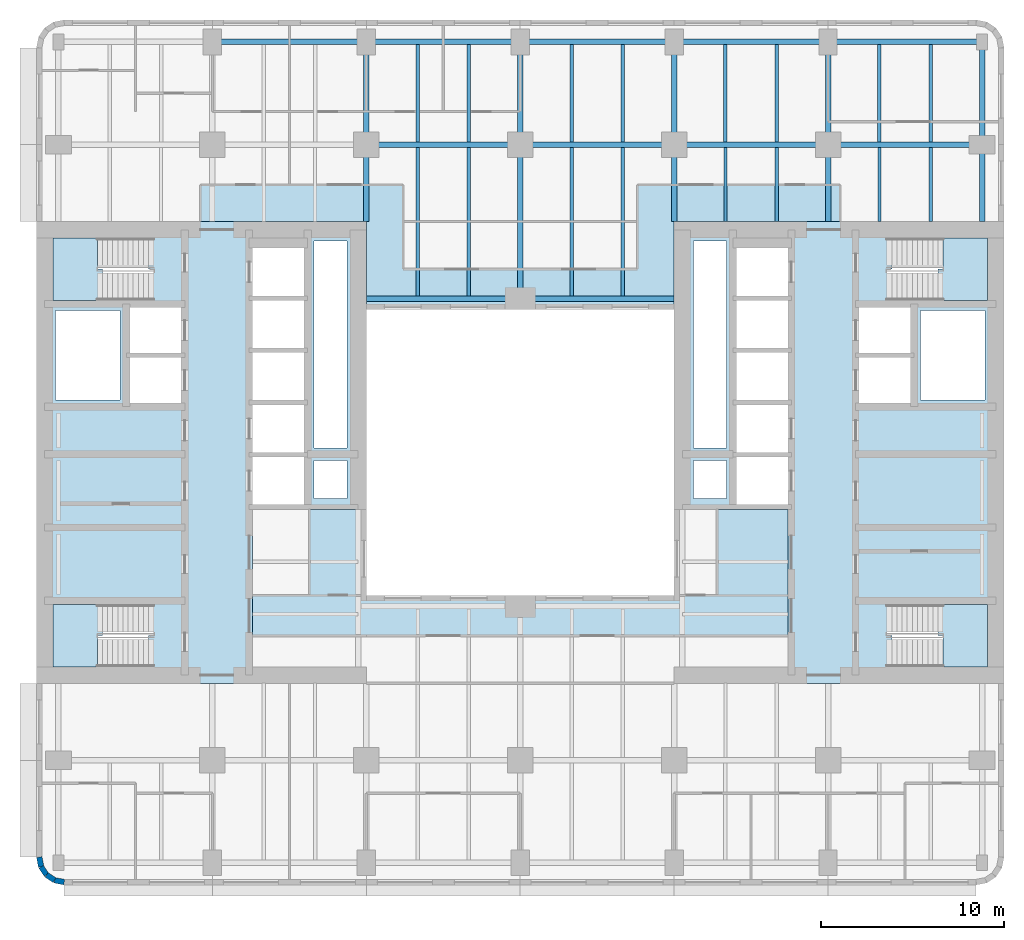
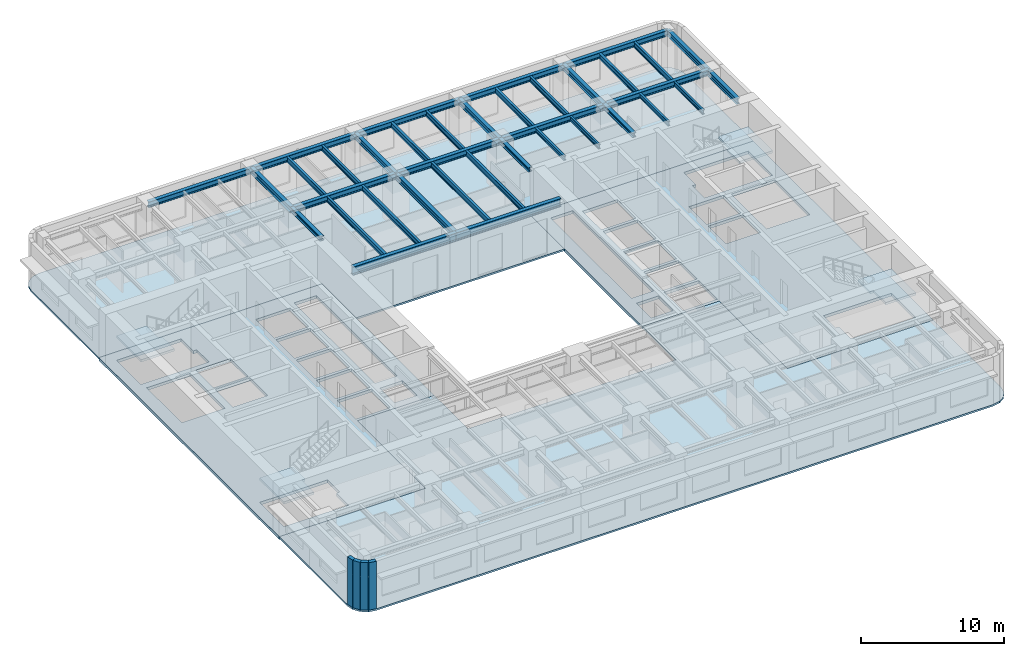
# One storey, part 2 of 11: 37 beams, 8 slabs, 4 walls, 4 elements without a shape of their own.
"""IFC4 building model written with IfcOpenShell, lengths in metres."""

from ifc_helpers import new_model, si_unit, direction, frame, frame_2d, origin, origin_2d, place, context, subcontext, project, spatial, polyline, rectangle, i_section, outline, extrude, material, layer, layer_set, material_profile, profile_set, type_object, element, aggregate, save


model = new_model("IFC4")

# Units and contexts
model_context = context("Model", 3, precision=1e-05, world=origin(), true_north=direction((0.0, 1.0)))
body_context = subcontext(model_context, "Body", "Model", "MODEL_VIEW")
ifc_project = project(units=[si_unit("LENGTHUNIT", "METRE"), si_unit("AREAUNIT", "SQUARE_METRE"), si_unit("VOLUMEUNIT", "CUBIC_METRE"), si_unit("PLANEANGLEUNIT", "RADIAN"), si_unit("MASSUNIT", "GRAM", prefix="KILO")], contexts=[model_context])

# Site, building, storey
site_placement = place(None, origin())
site = spatial("IfcSite", under=ifc_project, at=site_placement, CompositionType="ELEMENT")
building_placement = place(site_placement, origin())
building = spatial("IfcBuilding", under=site, at=building_placement, Name="Claustro Exchange Tower", CompositionType="ELEMENT")
storey_placement = place(building_placement, frame((0.0, 0.0, 130.199951171875)))
storey = spatial("IfcBuildingStorey", under=building, at=storey_placement, Name="L29", CompositionType="ELEMENT", Elevation=130.199951171875)

# Beams
ifc_material_1 = material(Name="Steel S355", Category="steel")
ifc_material_profile_1 = material_profile(ifc_material_1, i_section(OverallWidth=0.300048828125, OverallDepth=0.68994140625, WebThickness=0.014404296875, FlangeThickness=0.027099609375, FilletRadius=0.027099609375, at=origin_2d()), Name="HE 700 A")
ifc_profile_set_1 = profile_set([ifc_material_profile_1], Name="Steel S355")
beam_type_1 = type_object("IfcBeamType", Name="B13 HE 700 A light well edge girder", PredefinedType="BEAM", material=ifc_profile_set_1)
beam_1_placement = place(storey_placement, frame((16.800048828125, 33.60009765625, 3.705078125), z_axis=(1.0, 0.0, 0.0), x_axis=(0.0, 1.0, 0.0)))
element("IfcBeam", 1, at=beam_1_placement, inside=storey, type_object=beam_type_1, Name="Beam B13 L30", PredefinedType="BEAM", context=body_context, shape_type="SweptSolid", body=[
    extrude(i_section(OverallWidth=0.300048828125, OverallDepth=0.68994140625, WebThickness=0.014404296875, FlangeThickness=0.027099609375, FilletRadius=0.027099609375, at=origin_2d()), origin(), (0.0, 0.0, 1.0), 8.39990234375),
])
beam_2_placement = place(storey_placement, frame((25.199951171875, 33.60009765625, 3.705078125), z_axis=(1.0, 0.0, 0.0), x_axis=(0.0, 1.0, 0.0)))
element("IfcBeam", 2, at=beam_2_placement, inside=storey, type_object=beam_type_1, Name="Beam B13 L30", PredefinedType="BEAM", context=body_context, shape_type="SweptSolid", body=[
    extrude(i_section(OverallWidth=0.300048828125, OverallDepth=0.68994140625, WebThickness=0.014404296875, FlangeThickness=0.027099609375, FilletRadius=0.027099609375, at=origin_2d()), origin(), (0.0, 0.0, 1.0), 8.400146484375),
])
ifc_material_2 = material(Name="Steel S355", Category="steel")
ifc_material_profile_2 = material_profile(ifc_material_2, i_section(OverallWidth=0.169921875, OverallDepth=0.360107421875, WebThickness=0.008056640625, FlangeThickness=0.0126953125, FilletRadius=0.01806640625, at=origin_2d()), Name="IPE 360")
ifc_profile_set_2 = profile_set([ifc_material_profile_2], Name="Steel S355")
beam_type_2 = type_object("IfcBeamType", Name="B16 IPE 360 short-span beam", PredefinedType="BEAM", material=ifc_profile_set_2)
for number, where, z_axis, x_axis, name in (
    (3, (36.39990234375, 37.7900390625, 3.8701171875), (0.0, 1.0, 0.0), (-1.0, 0.0, 0.0), "Beam B16 L30"),
    (4, (39.199951171875, 37.7900390625, 3.8701171875), (0.0, 1.0, 0.0), (-1.0, 0.0, 0.0), "Beam B16 L30"),
    (5, (44.800048828125, 37.7900390625, 3.8701171875), (0.0, 1.0, 0.0), (-1.0, 0.0, 0.0), "Beam B16 L30"),
    (6, (47.60009765625, 37.7900390625, 3.8701171875), (0.0, 1.0, 0.0), (-1.0, 0.0, 0.0), "Beam B16 L30"),
):
    element("IfcBeam", number, at=place(storey_placement, frame(where, z_axis=z_axis, x_axis=x_axis)), inside=storey, type_object=beam_type_2, Name=name, PredefinedType="BEAM", context=body_context, shape_type="SweptSolid", body=[
        extrude(i_section(OverallWidth=0.169921875, OverallDepth=0.360107421875, WebThickness=0.008056640625, FlangeThickness=0.0126953125, FilletRadius=0.01806640625, at=origin_2d()), origin(), (0.0, 0.0, 1.0), 4.06005859375),
    ])
ifc_material_3 = material(Name="Steel S355", Category="steel")
ifc_material_profile_3 = material_profile(ifc_material_3, i_section(OverallWidth=0.300048828125, OverallDepth=0.360107421875, WebThickness=0.012451171875, FlangeThickness=0.0224609375, FilletRadius=0.027099609375, at=origin_2d()), Name="HE 360 B")
ifc_profile_set_3 = profile_set([ifc_material_profile_3], Name="Steel S355")
beam_type_3 = type_object("IfcBeamType", Name="B29 HE 360 B column to core link beam", PredefinedType="BEAM", material=ifc_profile_set_3)
for number, where, z_axis, x_axis, name in (
    (7, (16.800048828125, 37.800048828125, 3.8701171875), (0.0, 1.0, 0.0), (-1.0, 0.0, 0.0), "Beam B29 L30"),
    (8, (33.60009765625, 37.800048828125, 3.8701171875), (0.0, 1.0, 0.0), (-1.0, 0.0, 0.0), "Beam B29 L30"),
    (9, (42.0, 37.800048828125, 3.8701171875), (0.0, 1.0, 0.0), (-1.0, 0.0, 0.0), "Beam B29 L30"),
):
    element("IfcBeam", number, at=place(storey_placement, frame(where, z_axis=z_axis, x_axis=x_axis)), inside=storey, type_object=beam_type_3, Name=name, PredefinedType="BEAM", context=body_context, shape_type="SweptSolid", body=[
        extrude(i_section(OverallWidth=0.300048828125, OverallDepth=0.360107421875, WebThickness=0.012451171875, FlangeThickness=0.0224609375, FilletRadius=0.027099609375, at=origin_2d()), origin(), (0.0, 0.0, 1.0), 4.199951171875),
    ])
ifc_material_4 = material(Name="Steel S355", Category="steel")
ifc_material_profile_4 = material_profile(ifc_material_4, i_section(OverallWidth=0.300048828125, OverallDepth=0.5, WebThickness=0.014404296875, FlangeThickness=0.028076171875, FilletRadius=0.027099609375, at=origin_2d()), Name="HE 500 B")
ifc_profile_set_4 = profile_set([ifc_material_profile_4], Name="Steel S355")
beam_type_4 = type_object("IfcBeamType", Name="B7 HE 500 B floor girder", PredefinedType="BEAM", material=ifc_profile_set_4)
beam_3_placement = place(storey_placement, frame((16.800048828125, 42.0, 3.800048828125), z_axis=(0.0, 1.0, 0.0), x_axis=(-1.0, 0.0, 0.0)))
element("IfcBeam", 10, at=beam_3_placement, inside=storey, type_object=beam_type_4, Name="Beam B7 L30", PredefinedType="BEAM", context=body_context, shape_type="SweptSolid", body=[
    extrude(i_section(OverallWidth=0.300048828125, OverallDepth=0.5, WebThickness=0.014404296875, FlangeThickness=0.028076171875, FilletRadius=0.027099609375, at=origin_2d()), origin(), (0.0, 0.0, 1.0), 5.60009765625),
])
beam_4_placement = place(storey_placement, frame((25.199951171875, 33.60009765625, 3.800048828125), z_axis=(0.0, 1.0, 0.0), x_axis=(-1.0, 0.0, 0.0)))
element("IfcBeam", 11, at=beam_4_placement, inside=storey, type_object=beam_type_4, Name="Beam B7 L30", PredefinedType="BEAM", context=body_context, shape_type="SweptSolid", body=[
    extrude(i_section(OverallWidth=0.300048828125, OverallDepth=0.5, WebThickness=0.014404296875, FlangeThickness=0.028076171875, FilletRadius=0.027099609375, at=origin_2d()), origin(), (0.0, 0.0, 1.0), 8.39990234375),
])
for number, where, z_axis, x_axis, name in (
    (12, (25.199951171875, 42.0, 3.800048828125), (0.0, 1.0, 0.0), (-1.0, 0.0, 0.0), "Beam B7 L30"),
    (13, (33.60009765625, 42.0, 3.800048828125), (0.0, 1.0, 0.0), (-1.0, 0.0, 0.0), "Beam B7 L30"),
    (14, (42.0, 42.0, 3.800048828125), (0.0, 1.0, 0.0), (-1.0, 0.0, 0.0), "Beam B7 L30"),
):
    element("IfcBeam", number, at=place(storey_placement, frame(where, z_axis=z_axis, x_axis=x_axis)), inside=storey, type_object=beam_type_4, Name=name, PredefinedType="BEAM", context=body_context, shape_type="SweptSolid", body=[
        extrude(i_section(OverallWidth=0.300048828125, OverallDepth=0.5, WebThickness=0.014404296875, FlangeThickness=0.028076171875, FilletRadius=0.027099609375, at=origin_2d()), origin(), (0.0, 0.0, 1.0), 5.60009765625),
    ])
beam_5_placement = place(storey_placement, frame((16.800048828125, 42.0, 3.800048828125), z_axis=(1.0, 0.0, 0.0), x_axis=(0.0, 1.0, 0.0)))
element("IfcBeam", 15, at=beam_5_placement, inside=storey, type_object=beam_type_4, Name="Beam B7 L30", PredefinedType="BEAM", context=body_context, shape_type="SweptSolid", body=[
    extrude(i_section(OverallWidth=0.300048828125, OverallDepth=0.5, WebThickness=0.014404296875, FlangeThickness=0.028076171875, FilletRadius=0.027099609375, at=origin_2d()), origin(), (0.0, 0.0, 1.0), 8.39990234375),
])
beam_6_placement = place(storey_placement, frame((25.199951171875, 42.0, 3.800048828125), z_axis=(1.0, 0.0, 0.0), x_axis=(0.0, 1.0, 0.0)))
element("IfcBeam", 16, at=beam_6_placement, inside=storey, type_object=beam_type_4, Name="Beam B7 L30", PredefinedType="BEAM", context=body_context, shape_type="SweptSolid", body=[
    extrude(i_section(OverallWidth=0.300048828125, OverallDepth=0.5, WebThickness=0.014404296875, FlangeThickness=0.028076171875, FilletRadius=0.027099609375, at=origin_2d()), origin(), (0.0, 0.0, 1.0), 8.400146484375),
])
for number, where, z_axis, x_axis, name in (
    (17, (33.60009765625, 42.0, 3.800048828125), (1.0, 0.0, 0.0), (0.0, 1.0, 0.0), "Beam B7 L30"),
    (18, (42.0, 42.0, 3.800048828125), (1.0, 0.0, 0.0), (0.0, 1.0, 0.0), "Beam B7 L30"),
):
    element("IfcBeam", number, at=place(storey_placement, frame(where, z_axis=z_axis, x_axis=x_axis)), inside=storey, type_object=beam_type_4, Name=name, PredefinedType="BEAM", context=body_context, shape_type="SweptSolid", body=[
        extrude(i_section(OverallWidth=0.300048828125, OverallDepth=0.5, WebThickness=0.014404296875, FlangeThickness=0.028076171875, FilletRadius=0.027099609375, at=origin_2d()), origin(), (0.0, 0.0, 1.0), 8.39990234375),
    ])
ifc_material_5 = material(Name="Steel S355", Category="steel")
ifc_material_profile_5 = material_profile(ifc_material_5, i_section(OverallWidth=0.18994140625, OverallDepth=0.449951171875, WebThickness=0.009521484375, FlangeThickness=0.0146484375, FilletRadius=0.02099609375, at=origin_2d()), Name="IPE 450")
ifc_profile_set_5 = profile_set([ifc_material_profile_5], Name="Steel S355")
beam_type_5 = type_object("IfcBeamType", Name="B8 IPE 450 secondary beam", PredefinedType="BEAM", material=ifc_profile_set_5)
for number, where, z_axis, x_axis, name in (
    (19, (19.60009765625, 33.75, 3.824951171875), (0.0, 1.0, 0.0), (-1.0, 0.0, 0.0), "Beam B8 L30"),
    (20, (22.39990234375, 33.75, 3.824951171875), (0.0, 1.0, 0.0), (-1.0, 0.0, 0.0), "Beam B8 L30"),
):
    element("IfcBeam", number, at=place(storey_placement, frame(where, z_axis=z_axis, x_axis=x_axis)), inside=storey, type_object=beam_type_5, Name=name, PredefinedType="BEAM", context=body_context, shape_type="SweptSolid", body=[
        extrude(i_section(OverallWidth=0.18994140625, OverallDepth=0.449951171875, WebThickness=0.009521484375, FlangeThickness=0.0146484375, FilletRadius=0.02099609375, at=origin_2d()), origin(), (0.0, 0.0, 1.0), 8.10009765625),
    ])
for number, where, z_axis, x_axis, name in (
    (21, (19.60009765625, 42.14990234375, 3.824951171875), (0.0, 1.0, 0.0), (-1.0, 0.0, 0.0), "Beam B8 L30"),
    (22, (22.39990234375, 42.14990234375, 3.824951171875), (0.0, 1.0, 0.0), (-1.0, 0.0, 0.0), "Beam B8 L30"),
):
    element("IfcBeam", number, at=place(storey_placement, frame(where, z_axis=z_axis, x_axis=x_axis)), inside=storey, type_object=beam_type_5, Name=name, PredefinedType="BEAM", context=body_context, shape_type="SweptSolid", body=[
        extrude(i_section(OverallWidth=0.18994140625, OverallDepth=0.449951171875, WebThickness=0.009521484375, FlangeThickness=0.0146484375, FilletRadius=0.02099609375, at=origin_2d()), origin(), (0.0, 0.0, 1.0), 5.300048828125),
    ])
for number, where, z_axis, x_axis, name in (
    (23, (28.0, 33.75, 3.824951171875), (0.0, 1.0, 0.0), (-1.0, 0.0, 0.0), "Beam B8 L30"),
    (24, (30.800048828125, 33.75, 3.824951171875), (0.0, 1.0, 0.0), (-1.0, 0.0, 0.0), "Beam B8 L30"),
):
    element("IfcBeam", number, at=place(storey_placement, frame(where, z_axis=z_axis, x_axis=x_axis)), inside=storey, type_object=beam_type_5, Name=name, PredefinedType="BEAM", context=body_context, shape_type="SweptSolid", body=[
        extrude(i_section(OverallWidth=0.18994140625, OverallDepth=0.449951171875, WebThickness=0.009521484375, FlangeThickness=0.0146484375, FilletRadius=0.02099609375, at=origin_2d()), origin(), (0.0, 0.0, 1.0), 8.10009765625),
    ])
for number, where, z_axis, x_axis, name in (
    (25, (28.0, 42.14990234375, 3.824951171875), (0.0, 1.0, 0.0), (-1.0, 0.0, 0.0), "Beam B8 L30"),
    (26, (30.800048828125, 42.14990234375, 3.824951171875), (0.0, 1.0, 0.0), (-1.0, 0.0, 0.0), "Beam B8 L30"),
    (27, (36.39990234375, 42.14990234375, 3.824951171875), (0.0, 1.0, 0.0), (-1.0, 0.0, 0.0), "Beam B8 L30"),
    (28, (39.199951171875, 42.14990234375, 3.824951171875), (0.0, 1.0, 0.0), (-1.0, 0.0, 0.0), "Beam B8 L30"),
    (29, (44.800048828125, 42.14990234375, 3.824951171875), (0.0, 1.0, 0.0), (-1.0, 0.0, 0.0), "Beam B8 L30"),
    (30, (47.60009765625, 42.14990234375, 3.824951171875), (0.0, 1.0, 0.0), (-1.0, 0.0, 0.0), "Beam B8 L30"),
):
    element("IfcBeam", number, at=place(storey_placement, frame(where, z_axis=z_axis, x_axis=x_axis)), inside=storey, type_object=beam_type_5, Name=name, PredefinedType="BEAM", context=body_context, shape_type="SweptSolid", body=[
        extrude(i_section(OverallWidth=0.18994140625, OverallDepth=0.449951171875, WebThickness=0.009521484375, FlangeThickness=0.0146484375, FilletRadius=0.02099609375, at=origin_2d()), origin(), (0.0, 0.0, 1.0), 5.300048828125),
    ])
ifc_material_6 = material(Name="Steel S355", Category="steel")
ifc_material_profile_6 = material_profile(ifc_material_6, i_section(OverallWidth=0.300048828125, OverallDepth=0.489990234375, WebThickness=0.011962890625, FlangeThickness=0.02294921875, FilletRadius=0.027099609375, at=origin_2d()), Name="HE 500 A")
ifc_profile_set_6 = profile_set([ifc_material_profile_6], Name="Steel S355")
beam_type_6 = type_object("IfcBeamType", Name="B9 HE 500 A spandrel edge girder", PredefinedType="SPANDREL", material=ifc_profile_set_6)
beam_7_placement = place(storey_placement, frame((50.39990234375, 37.800048828125, 3.804931640625), z_axis=(0.0, 1.0, 0.0), x_axis=(-1.0, 0.0, 0.0)))
element("IfcBeam", 31, at=beam_7_placement, inside=storey, type_object=beam_type_6, Name="Beam B9 L30", PredefinedType="SPANDREL", context=body_context, shape_type="SweptSolid", body=[
    extrude(i_section(OverallWidth=0.300048828125, OverallDepth=0.489990234375, WebThickness=0.011962890625, FlangeThickness=0.02294921875, FilletRadius=0.027099609375, at=origin_2d()), origin(), (0.0, 0.0, 1.0), 4.199951171875),
])
beam_8_placement = place(storey_placement, frame((50.39990234375, 42.0, 3.804931640625), z_axis=(0.0, 1.0, 0.0), x_axis=(-1.0, 0.0, 0.0)))
element("IfcBeam", 32, at=beam_8_placement, inside=storey, type_object=beam_type_6, Name="Beam B9 L30", PredefinedType="SPANDREL", context=body_context, shape_type="SweptSolid", body=[
    extrude(i_section(OverallWidth=0.300048828125, OverallDepth=0.489990234375, WebThickness=0.011962890625, FlangeThickness=0.02294921875, FilletRadius=0.027099609375, at=origin_2d()), origin(), (0.0, 0.0, 1.0), 5.60009765625),
])
beam_9_placement = place(storey_placement, frame((8.39990234375, 47.60009765625, 3.804931640625), z_axis=(1.0, 0.0, 0.0), x_axis=(0.0, 1.0, 0.0)))
element("IfcBeam", 33, at=beam_9_placement, inside=storey, type_object=beam_type_6, Name="Beam B9 L30", PredefinedType="SPANDREL", context=body_context, shape_type="SweptSolid", body=[
    extrude(i_section(OverallWidth=0.300048828125, OverallDepth=0.489990234375, WebThickness=0.011962890625, FlangeThickness=0.02294921875, FilletRadius=0.027099609375, at=origin_2d()), origin(), (0.0, 0.0, 1.0), 8.400146484375),
])
beam_10_placement = place(storey_placement, frame((16.800048828125, 47.60009765625, 3.804931640625), z_axis=(1.0, 0.0, 0.0), x_axis=(0.0, 1.0, 0.0)))
element("IfcBeam", 34, at=beam_10_placement, inside=storey, type_object=beam_type_6, Name="Beam B9 L30", PredefinedType="SPANDREL", context=body_context, shape_type="SweptSolid", body=[
    extrude(i_section(OverallWidth=0.300048828125, OverallDepth=0.489990234375, WebThickness=0.011962890625, FlangeThickness=0.02294921875, FilletRadius=0.027099609375, at=origin_2d()), origin(), (0.0, 0.0, 1.0), 8.39990234375),
])
beam_11_placement = place(storey_placement, frame((25.199951171875, 47.60009765625, 3.804931640625), z_axis=(1.0, 0.0, 0.0), x_axis=(0.0, 1.0, 0.0)))
element("IfcBeam", 35, at=beam_11_placement, inside=storey, type_object=beam_type_6, Name="Beam B9 L30", PredefinedType="SPANDREL", context=body_context, shape_type="SweptSolid", body=[
    extrude(i_section(OverallWidth=0.300048828125, OverallDepth=0.489990234375, WebThickness=0.011962890625, FlangeThickness=0.02294921875, FilletRadius=0.027099609375, at=origin_2d()), origin(), (0.0, 0.0, 1.0), 8.400146484375),
])
for number, where, z_axis, x_axis, name in (
    (36, (33.60009765625, 47.60009765625, 3.804931640625), (1.0, 0.0, 0.0), (0.0, 1.0, 0.0), "Beam B9 L30"),
    (37, (42.0, 47.60009765625, 3.804931640625), (1.0, 0.0, 0.0), (0.0, 1.0, 0.0), "Beam B9 L30"),
):
    element("IfcBeam", number, at=place(storey_placement, frame(where, z_axis=z_axis, x_axis=x_axis)), inside=storey, type_object=beam_type_6, Name=name, PredefinedType="SPANDREL", context=body_context, shape_type="SweptSolid", body=[
        extrude(i_section(OverallWidth=0.300048828125, OverallDepth=0.489990234375, WebThickness=0.011962890625, FlangeThickness=0.02294921875, FilletRadius=0.027099609375, at=origin_2d()), origin(), (0.0, 0.0, 1.0), 8.39990234375),
    ])

# Slabs
ifc_material_7 = material(Name="Concrete HA-50 (C50/60)", Category="concrete")
ifc_layer_1 = layer(ifc_material_7, 0.14990234375)
ifc_layer_set_1 = layer_set([ifc_layer_1], Name="Concrete HA-50 (C50/60)")
slab_type_1 = type_object("IfcSlabType", Name="S2 150 composite floor slab", PredefinedType="FLOOR", material=ifc_layer_set_1)
slab_1_placement = place(storey_placement, frame((0.0, 0.0, -0.14990234375)))
element("IfcSlab", 38, at=slab_1_placement, inside=storey, type_object=slab_type_1, Name="Floor slab S2 S L29", PredefinedType="FLOOR", context=body_context, shape_type="SweptSolid", body=[
    extrude(outline(polyline([(-0.27392578125, 1.714111328125), (0.300048828125, 1.60009765625), (50.10009765625, 1.60009765625), (50.674072265625, 1.714111328125), (51.16064453125, 2.039306640625), (51.48583984375, 2.52587890625), (51.60009765625, 3.10009765625), (51.60009765625, 12.60009765625), (39.800048828125, 12.60009765625), (39.800048828125, 22.10009765625), (33.60009765625, 22.10009765625), (33.60009765625, 17.39990234375), (16.800048828125, 17.39990234375), (16.800048828125, 22.10009765625), (10.60009765625, 22.10009765625), (10.60009765625, 12.60009765625), (-1.199951171875, 12.60009765625), (-1.199951171875, 3.10009765625), (-1.085693359375, 2.52587890625), (-0.7607421875, 2.039306640625), (-0.27392578125, 1.714111328125)])), origin(), (0.0, 0.0, 1.0), 0.14990234375),
])
slab_2_placement = place(storey_placement, frame((0.0, 0.0, -0.14990234375)))
element("IfcSlab", 39, at=slab_2_placement, inside=storey, type_object=slab_type_1, Name="Floor slab S2 N L29", PredefinedType="FLOOR", context=body_context, shape_type="SweptSolid", body=[
    extrude(outline(polyline([(16.800048828125, 37.800048828125), (16.800048828125, 33.0), (33.60009765625, 33.0), (33.60009765625, 37.800048828125), (51.60009765625, 37.800048828125), (51.60009765625, 47.300048828125), (51.48583984375, 47.8740234375), (51.16064453125, 48.360595703125), (50.674072265625, 48.685791015625), (50.10009765625, 48.800048828125), (0.300048828125, 48.800048828125), (-0.27392578125, 48.685791015625), (-0.7607421875, 48.360595703125), (-1.085693359375, 47.8740234375), (-1.199951171875, 47.300048828125), (-1.199951171875, 37.800048828125), (16.800048828125, 37.800048828125)])), origin(), (0.0, 0.0, 1.0), 0.14990234375),
])
ifc_material_8 = material(Name="Concrete HA-50 (C50/60)", Category="concrete")
ifc_layer_2 = layer(ifc_material_8, 0.25)
ifc_layer_set_2 = layer_set([ifc_layer_2], Name="Concrete HA-50 (C50/60)")
slab_type_2 = type_object("IfcSlabType", Name="S7 250 core floor slab", PredefinedType="FLOOR", material=ifc_layer_set_2)
slab_3_placement = place(storey_placement, frame((0.0, 0.0, -0.25)))
element("IfcSlab", 40, at=slab_3_placement, inside=storey, type_object=slab_type_2, Name="Core floor slab S7 W core L29", PredefinedType="FLOOR", context=body_context, shape_type="SweptSolid", body=[
    extrude(outline(polyline([(-1.199951171875, 37.800048828125), (-1.199951171875, 12.60009765625), (10.60009765625, 12.60009765625), (10.60009765625, 22.10009765625), (16.800048828125, 22.10009765625), (16.800048828125, 37.800048828125), (-1.199951171875, 37.800048828125)]), holes=[polyline([(13.949951171875, 24.75), (15.75, 24.75), (15.75, 22.699951171875), (13.949951171875, 22.699951171875), (13.949951171875, 24.75)]), polyline([(13.949951171875, 36.75), (15.75, 36.75), (15.75, 25.449951171875), (13.949951171875, 25.449951171875), (13.949951171875, 36.75)]), polyline([(13.39990234375, 24.949951171875), (13.39990234375, 22.35009765625), (10.60009765625, 22.35009765625), (10.60009765625, 24.949951171875), (13.39990234375, 24.949951171875)]), polyline([(13.39990234375, 27.800048828125), (13.39990234375, 25.199951171875), (10.60009765625, 25.199951171875), (10.60009765625, 27.800048828125), (13.39990234375, 27.800048828125)]), polyline([(13.39990234375, 30.64990234375), (13.39990234375, 28.050048828125), (10.60009765625, 28.050048828125), (10.60009765625, 30.64990234375), (13.39990234375, 30.64990234375)]), polyline([(13.39990234375, 33.5), (13.39990234375, 30.89990234375), (10.60009765625, 30.89990234375), (10.60009765625, 33.5), (13.39990234375, 33.5)]), polyline([(13.39990234375, 36.35009765625), (13.39990234375, 33.75), (10.60009765625, 33.75), (10.60009765625, 36.35009765625), (13.39990234375, 36.35009765625)]), polyline([(6.699951171875, 30.375), (6.699951171875, 27.89990234375), (3.89990234375, 27.89990234375), (3.89990234375, 30.375), (6.699951171875, 30.375)]), polyline([(6.699951171875, 33.10009765625), (6.699951171875, 30.625), (3.89990234375, 30.625), (3.89990234375, 33.10009765625), (6.699951171875, 33.10009765625)]), polyline([(-0.300048828125, 15.199951171875), (-0.300048828125, 16.89990234375), (5.195068359375, 16.89990234375), (5.195068359375, 15.199951171875), (4.919921875, 15.199951171875), (4.919921875, 13.5), (-0.300048828125, 13.5), (-0.300048828125, 15.199951171875)]), polyline([(-0.300048828125, 35.199951171875), (-0.300048828125, 36.89990234375), (4.919921875, 36.89990234375), (4.919921875, 35.199951171875), (5.195068359375, 35.199951171875), (5.195068359375, 33.5), (-0.300048828125, 33.5), (-0.300048828125, 35.199951171875)]), polyline([(-0.14990234375, 32.949951171875), (3.35009765625, 32.949951171875), (3.35009765625, 28.050048828125), (-0.14990234375, 28.050048828125), (-0.14990234375, 32.949951171875)])]), origin(), (0.0, 0.0, 1.0), 0.25),
])
slab_4_placement = place(storey_placement, frame((0.0, 0.0, -0.25)))
element("IfcSlab", 41, at=slab_4_placement, inside=storey, type_object=slab_type_2, Name="Core floor slab S7 E core L29", PredefinedType="FLOOR", context=body_context, shape_type="SweptSolid", body=[
    extrude(outline(polyline([(51.60009765625, 37.800048828125), (33.60009765625, 37.800048828125), (33.60009765625, 22.10009765625), (39.800048828125, 22.10009765625), (39.800048828125, 12.60009765625), (51.60009765625, 12.60009765625), (51.60009765625, 37.800048828125)]), holes=[polyline([(45.47998046875, 15.199951171875), (45.205078125, 15.199951171875), (45.205078125, 16.89990234375), (50.699951171875, 16.89990234375), (50.699951171875, 15.199951171875), (50.699951171875, 13.5), (45.47998046875, 13.5), (45.47998046875, 15.199951171875)]), polyline([(45.47998046875, 35.199951171875), (45.47998046875, 36.89990234375), (50.699951171875, 36.89990234375), (50.699951171875, 35.199951171875), (50.699951171875, 33.5), (45.205078125, 33.5), (45.205078125, 35.199951171875), (45.47998046875, 35.199951171875)]), polyline([(50.550048828125, 32.949951171875), (50.550048828125, 28.050048828125), (47.050048828125, 28.050048828125), (47.050048828125, 32.949951171875), (50.550048828125, 32.949951171875)]), polyline([(43.699951171875, 33.10009765625), (46.5, 33.10009765625), (46.5, 30.625), (43.699951171875, 30.625), (43.699951171875, 33.10009765625)]), polyline([(46.5, 30.375), (46.5, 27.89990234375), (43.699951171875, 27.89990234375), (43.699951171875, 30.375), (46.5, 30.375)]), polyline([(37.0, 24.949951171875), (39.800048828125, 24.949951171875), (39.800048828125, 22.35009765625), (37.0, 22.35009765625), (37.0, 24.949951171875)]), polyline([(37.0, 30.64990234375), (39.800048828125, 30.64990234375), (39.800048828125, 28.050048828125), (37.0, 28.050048828125), (37.0, 30.64990234375)]), polyline([(39.800048828125, 27.800048828125), (39.800048828125, 25.199951171875), (37.0, 25.199951171875), (37.0, 27.800048828125), (39.800048828125, 27.800048828125)]), polyline([(39.800048828125, 33.5), (39.800048828125, 30.89990234375), (37.0, 30.89990234375), (37.0, 33.5), (39.800048828125, 33.5)]), polyline([(39.800048828125, 36.35009765625), (39.800048828125, 33.75), (37.0, 33.75), (37.0, 36.35009765625), (39.800048828125, 36.35009765625)]), polyline([(36.449951171875, 24.75), (36.449951171875, 22.699951171875), (34.64990234375, 22.699951171875), (34.64990234375, 24.75), (36.449951171875, 24.75)]), polyline([(36.449951171875, 36.75), (36.449951171875, 25.449951171875), (34.64990234375, 25.449951171875), (34.64990234375, 36.75), (36.449951171875, 36.75)])]), origin(), (0.0, 0.0, 1.0), 0.25),
])

# Stair, slab
ifc_material_9 = material(Name="Concrete HA-30 (C30/37), precast", Category="concrete")
stair_type = type_object("IfcStairType", Name="ST1 half-turn stair, 24 risers of 175", PredefinedType="HALF_TURN_STAIR", material=ifc_material_9)
stair_1_placement = place(storey_placement, origin())
stair_1 = element("IfcStair", 42, at=stair_1_placement, inside=storey, type_object=stair_type, Name="Stair STWA L29", PredefinedType="HALF_TURN_STAIR")
ifc_material_10 = material(Name="Concrete HA-30 (C30/37), precast", Category="concrete")
ifc_layer_3 = layer(ifc_material_10, 0.199951171875)
ifc_layer_set_3 = layer_set([ifc_layer_3], Name="Concrete HA-30 (C30/37), precast")
slab_type_3 = type_object("IfcSlabType", Name="S9 200 stair landing", PredefinedType="LANDING", material=ifc_layer_set_3)
slab_5_placement = place(storey_placement, frame((0.0, 0.0, 1.900146484375)))
slab_5 = element("IfcSlab", 43, at=slab_5_placement, type_object=slab_type_3, Name="STWA landing 1", PredefinedType="LANDING", context=body_context, shape_type="SweptSolid", body=[
    extrude(outline(polyline([(2.125, 13.5), (-0.300048828125, 13.5), (-0.300048828125, 16.89990234375), (2.1201171875, 16.89990234375), (2.125, 16.89990234375), (2.39990234375, 16.89990234375), (2.39990234375, 15.199951171875), (2.125, 15.199951171875), (2.125, 13.5)])), origin(), (0.0, 0.0, 1.0), 0.199951171875),
])
aggregate(stair_1, [slab_5])

stair_2_placement = place(storey_placement, origin())
stair_2 = element("IfcStair", 44, at=stair_2_placement, inside=storey, type_object=stair_type, Name="Stair STWB L29", PredefinedType="HALF_TURN_STAIR")
slab_6_placement = place(storey_placement, frame((0.0, 0.0, 1.900146484375)))
slab_6 = element("IfcSlab", 45, at=slab_6_placement, type_object=slab_type_3, Name="STWB landing 1", PredefinedType="LANDING", context=body_context, shape_type="SweptSolid", body=[
    extrude(outline(polyline([(2.39990234375, 35.199951171875), (2.39990234375, 33.5), (2.125, 33.5), (2.1201171875, 33.5), (-0.300048828125, 33.5), (-0.300048828125, 36.89990234375), (2.125, 36.89990234375), (2.125, 35.199951171875), (2.39990234375, 35.199951171875)])), origin(), (0.0, 0.0, 1.0), 0.199951171875),
])
aggregate(stair_2, [slab_6])

stair_3_placement = place(storey_placement, origin())
stair_3 = element("IfcStair", 46, at=stair_3_placement, inside=storey, type_object=stair_type, Name="Stair STEA L29", PredefinedType="HALF_TURN_STAIR")
slab_7_placement = place(storey_placement, frame((0.0, 0.0, 1.900146484375)))
slab_7 = element("IfcSlab", 47, at=slab_7_placement, type_object=slab_type_3, Name="STEA landing 1", PredefinedType="LANDING", context=body_context, shape_type="SweptSolid", body=[
    extrude(outline(polyline([(50.699951171875, 16.89990234375), (50.699951171875, 13.5), (48.27490234375, 13.5), (48.27490234375, 15.199951171875), (48.0, 15.199951171875), (48.0, 16.89990234375), (48.27490234375, 16.89990234375), (48.280029296875, 16.89990234375), (50.699951171875, 16.89990234375)])), origin(), (0.0, 0.0, 1.0), 0.199951171875),
])
aggregate(stair_3, [slab_7])

stair_4_placement = place(storey_placement, origin())
stair_4 = element("IfcStair", 48, at=stair_4_placement, inside=storey, type_object=stair_type, Name="Stair STEB L29", PredefinedType="HALF_TURN_STAIR")
slab_8_placement = place(storey_placement, frame((0.0, 0.0, 1.900146484375)))
slab_8 = element("IfcSlab", 49, at=slab_8_placement, type_object=slab_type_3, Name="STEB landing 1", PredefinedType="LANDING", context=body_context, shape_type="SweptSolid", body=[
    extrude(outline(polyline([(48.0, 33.5), (48.0, 35.199951171875), (48.27490234375, 35.199951171875), (48.27490234375, 36.89990234375), (50.699951171875, 36.89990234375), (50.699951171875, 33.5), (48.280029296875, 33.5), (48.27490234375, 33.5), (48.0, 33.5)])), origin(), (0.0, 0.0, 1.0), 0.199951171875),
])
aggregate(stair_4, [slab_8])

# Walls
ifc_material_11 = material(Name="Concrete HA-40 (C40/50), precast, white cement, acid-etched", Category="concrete")
ifc_layer_4 = layer(ifc_material_11, 0.300048828125)
ifc_layer_set_4 = layer_set([ifc_layer_4], Name="Concrete HA-40 (C40/50), precast, white cement, acid-etched")
wall_type = type_object("IfcWallType", Name="PC1 300 precast concrete pier panel", PredefinedType="SOLIDWALL", material=ifc_layer_set_4)
wall_1_placement = place(storey_placement, frame((0.314697265625, 1.75, 0.0), z_axis=(0.0, 0.0, 1.0), x_axis=(-0.980788534345, 0.195073962632, 0.0)))
element("IfcWall", 50, at=wall_1_placement, inside=storey, type_object=wall_type, Name="Precast pier panel PC1 L29", PredefinedType="SOLIDWALL", context=body_context, shape_type="SweptSolid", body=[
    extrude(rectangle(XDim=0.540771484375, YDim=0.300048828125, at=frame_2d((0.2705078125, 0.0))), origin(), (0.0, 0.0, 1.0), 4.050048828125),
])
for number, where, z_axis, x_axis, name in (
    (51, (-0.215576171875, 1.85546875, 0.0), (0.0, 0.0, 1.0), (-0.831478144188, 0.555557463938, 0.0), "Precast pier panel PC1 L29"),
    (52, (-0.652587890625, 2.1474609375, 0.0), (0.0, 0.0, 1.0), (-0.555557463938, 0.831478144188, 0.0), "Precast pier panel PC1 L29"),
):
    element("IfcWall", number, at=place(storey_placement, frame(where, z_axis=z_axis, x_axis=x_axis)), inside=storey, type_object=wall_type, Name=name, PredefinedType="SOLIDWALL", context=body_context, shape_type="SweptSolid", body=[
        extrude(rectangle(XDim=0.525634765625, YDim=0.300048828125, at=frame_2d((0.2626953125, 0.0))), origin(), (0.0, 0.0, 1.0), 4.050048828125),
    ])
wall_2_placement = place(storey_placement, frame((-0.944580078125, 2.58447265625, 0.0), z_axis=(0.0, 0.0, 1.0), x_axis=(-0.195073962632, 0.980788534345, 0.0)))
element("IfcWall", 53, at=wall_2_placement, inside=storey, type_object=wall_type, Name="Precast pier panel PC1 L29", PredefinedType="SOLIDWALL", context=body_context, shape_type="SweptSolid", body=[
    extrude(rectangle(XDim=0.540771484375, YDim=0.300048828125, at=frame_2d((0.2705078125, 0.0))), origin(), (0.0, 0.0, 1.0), 4.050048828125),
])

save(model, "model.ifc")
